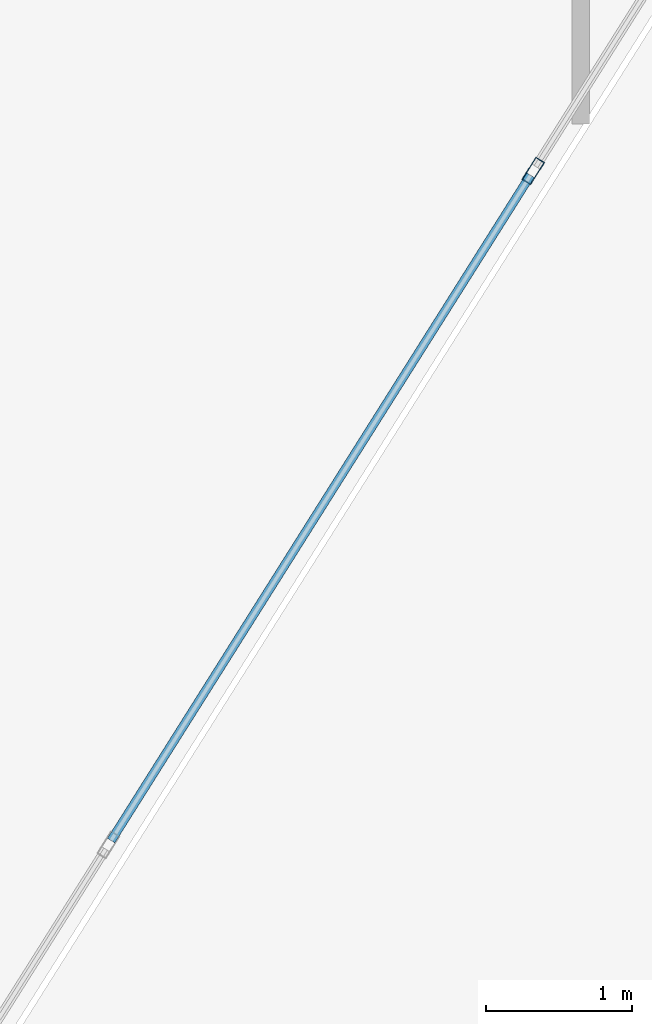
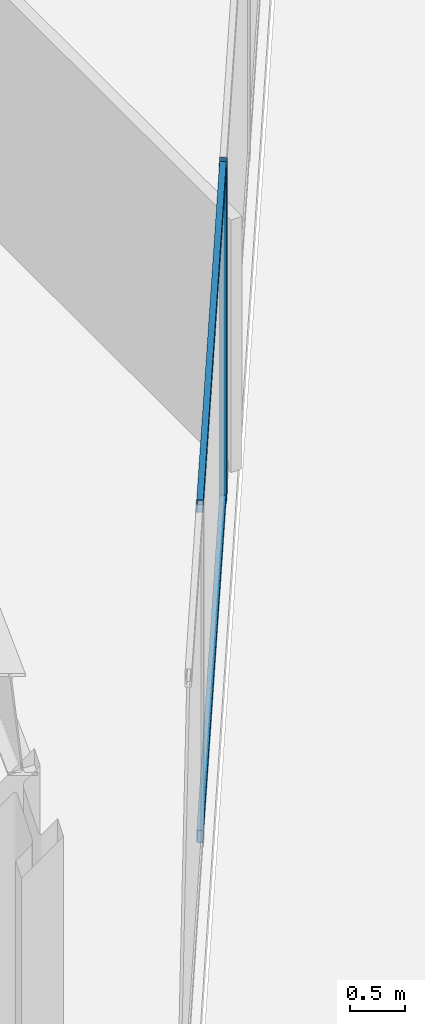
# One storey, part 5 of 25: 3 members, 1 element without a shape of its own.
"""IFC4 building model written with IfcOpenShell, lengths in metres."""

from ifc_helpers import new_model, si_unit, direction, frame, origin, origin_2d, place, context, subcontext, project, spatial, hollow_rectangle, extrude, material, layer, layer_set, material_profile, profile_set, type_object, element, aggregate, save


model = new_model("IFC4")

# Units and contexts
model_context = context("Model", 3, precision=1e-05, world=origin(), true_north=direction((0.0, 1.0)))
body_context = subcontext(model_context, "Body", "Model", "MODEL_VIEW")
ifc_project = project(units=[si_unit("LENGTHUNIT", "METRE"), si_unit("AREAUNIT", "SQUARE_METRE"), si_unit("VOLUMEUNIT", "CUBIC_METRE"), si_unit("PLANEANGLEUNIT", "RADIAN"), si_unit("MASSUNIT", "GRAM", prefix="KILO")], contexts=[model_context])

# Site, building, storey
site_placement = place(None, origin())
site = spatial("IfcSite", under=ifc_project, at=site_placement, CompositionType="ELEMENT")
building_placement = place(site_placement, origin())
building = spatial("IfcBuilding", under=site, at=building_placement, Name="Kravanh Interchange Tower", CompositionType="ELEMENT")
storey_placement = place(building_placement, frame((0.0, 0.0, 29.5)))
storey = spatial("IfcBuildingStorey", under=building, at=storey_placement, Name="L06", CompositionType="ELEMENT", Elevation=29.5)

# Curtain wall, members
ifc_material_1 = material(Name="Anodised Bronze Aluminium", Category="aluminium")
ifc_layer = layer(ifc_material_1, 0.179931640625)
ifc_layer_set = layer_set([ifc_layer], Name="Unitised Curtain Wall System CW-Z1 Lower Office")
curtain_wall_type = type_object("IfcCurtainWallType", Name="Unitised Curtain Wall System CW-Z1 Lower Office", PredefinedType="NOTDEFINED", material=ifc_layer_set)
curtain_wall_placement = place(storey_placement, origin())
curtain_wall = element("IfcCurtainWall", 1, at=curtain_wall_placement, inside=storey, type_object=curtain_wall_type, Name="L06 Unitised Curtain Wall CW-L06-05", PredefinedType="NOTDEFINED")
ifc_material_2 = material(Name="Anodised Bronze Aluminium", Category="aluminium")
ifc_material_profile_1 = material_profile(ifc_material_2, hollow_rectangle(XDim=0.070068359375, YDim=0.179931640625, WallThickness=0.00390625, at=origin_2d()), Name="ALU70X180X4")
ifc_profile_set_1 = profile_set([ifc_material_profile_1], Name="Anodised Bronze Aluminium")
member_type_1 = type_object("IfcMemberType", Name="Curtain Wall Mullion ALU70X180X4 Bronze", PredefinedType="MULLION", material=ifc_profile_set_1)
member_1_placement = place(storey_placement, frame((31.173583984375, 14.98291015625, 0.0), z_axis=(0.0, 0.0, 1.0), x_axis=(0.845925530786, -0.53330103728, 0.0)))
member_1 = element("IfcMember", 2, at=member_1_placement, type_object=member_type_1, Name="CW-Z1 mullion 3", PredefinedType="MULLION", context=body_context, shape_type="SweptSolid", body=[
    extrude(hollow_rectangle(XDim=0.070068359375, YDim=0.179931640625, WallThickness=0.00390625, at=origin_2d()), origin(), (0.0, 0.0, 1.0), 3.739990234375),
])
ifc_material_3 = material(Name="Anodised Bronze Aluminium", Category="aluminium")
ifc_material_profile_2 = material_profile(ifc_material_3, hollow_rectangle(XDim=0.06005859375, YDim=0.139892578125, WallThickness=0.00390625, at=origin_2d()), Name="ALU60X140X4")
ifc_profile_set_2 = profile_set([ifc_material_profile_2], Name="Anodised Bronze Aluminium")
member_type_2 = type_object("IfcMemberType", Name="Curtain Wall Transom ALU60X140X4 Bronze", PredefinedType="USERDEFINED", material=ifc_profile_set_2)
member_2_placement = place(storey_placement, frame((31.15478515625, 14.953369140625, 0.030029296875), z_axis=(-0.533279090152, -0.845939366626, 0.0), x_axis=(0.845939366626, -0.533279090152, 0.0)))
member_2 = element("IfcMember", 3, at=member_2_placement, type_object=member_type_2, Name="CW-Z1 transom 3.1", ObjectType="TRANSOM", PredefinedType="USERDEFINED", context=body_context, shape_type="SweptSolid", body=[
    extrude(hollow_rectangle(XDim=0.06005859375, YDim=0.139892578125, WallThickness=0.00390625, at=origin_2d()), origin(), (0.0, 0.0, 1.0), 5.392578125),
])
member_3_placement = place(storey_placement, frame((31.15478515625, 14.953369140625, 3.7099609375), z_axis=(-0.533279090152, -0.845939366626, 0.0), x_axis=(0.845939366626, -0.533279090152, 0.0)))
member_3 = element("IfcMember", 4, at=member_3_placement, type_object=member_type_2, Name="CW-Z1 transom 3.2", ObjectType="TRANSOM", PredefinedType="USERDEFINED", context=body_context, shape_type="SweptSolid", body=[
    extrude(hollow_rectangle(XDim=0.06005859375, YDim=0.139892578125, WallThickness=0.00390625, at=origin_2d()), origin(), (0.0, 0.0, 1.0), 5.392578125),
])
aggregate(curtain_wall, [member_1, member_2, member_3])

save(model, "model.ifc")
